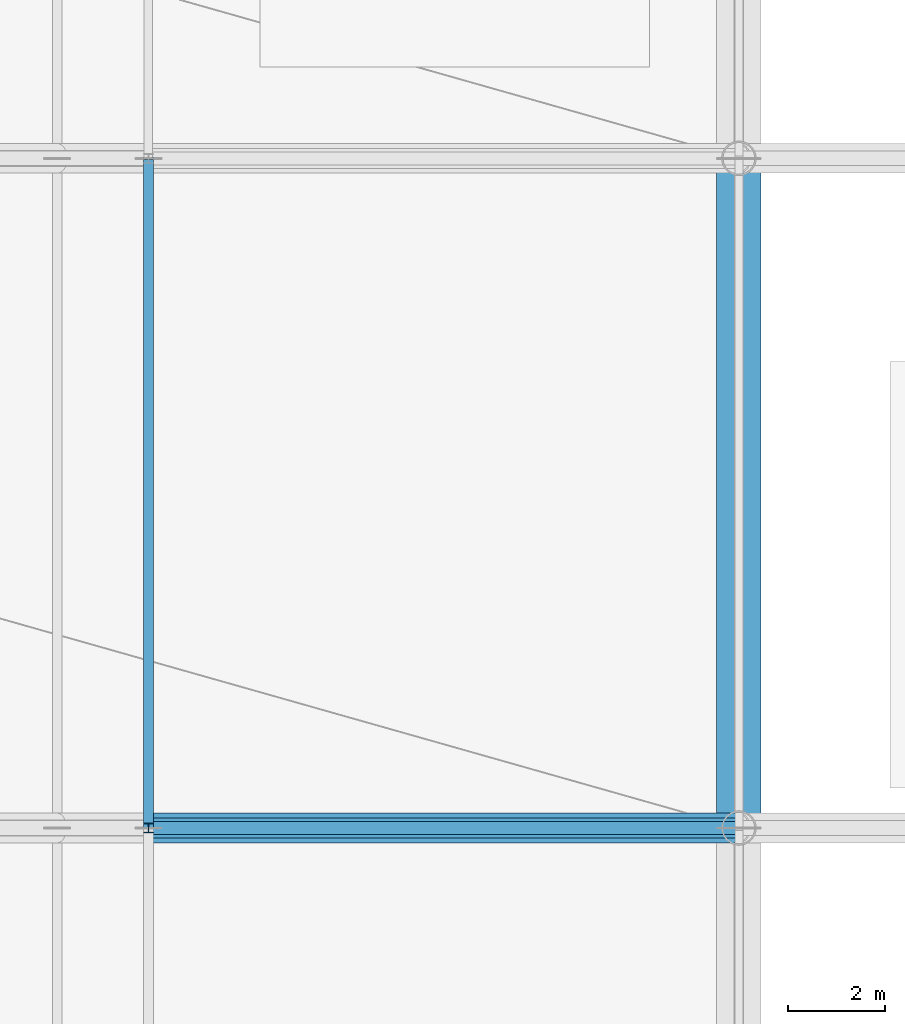
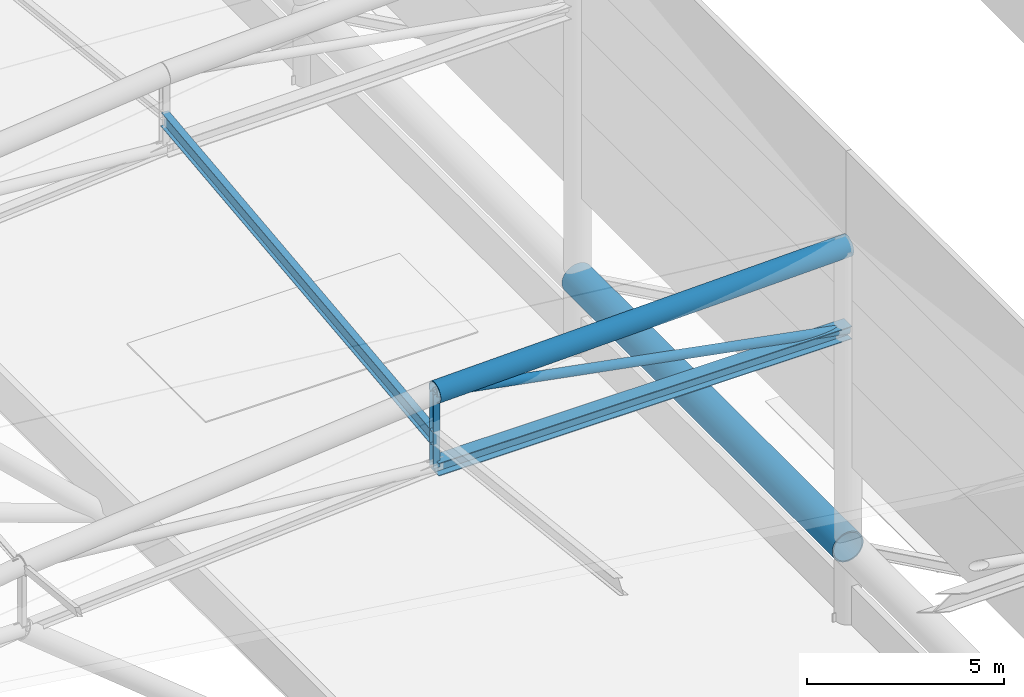
# One storey, part 43 of 113: 5 members, 1 beam.
"""IFC4 building model written with IfcOpenShell, lengths in metres."""

from ifc_helpers import new_model, si_unit, direction, frame, origin, origin_2d, place, context, subcontext, project, spatial, hollow_circle, i_section, extrude, material, material_profile, profile_set, type_object, element, save


model = new_model("IFC4")

# Units and contexts
model_context = context("Model", 3, precision=1e-05, world=origin(), true_north=direction((0.0, 1.0)))
body_context = subcontext(model_context, "Body", "Model", "MODEL_VIEW")
ifc_project = project(units=[si_unit("LENGTHUNIT", "METRE"), si_unit("AREAUNIT", "SQUARE_METRE"), si_unit("VOLUMEUNIT", "CUBIC_METRE"), si_unit("PLANEANGLEUNIT", "RADIAN"), si_unit("MASSUNIT", "GRAM", prefix="KILO")], contexts=[model_context])

# Site, building, storey
site_placement = place(None, origin())
site = spatial("IfcSite", under=ifc_project, at=site_placement, CompositionType="ELEMENT")
building_placement = place(site_placement, origin())
building = spatial("IfcBuilding", under=site, at=building_placement, Name="Linyun Crest Stadium", CompositionType="ELEMENT")
storey_placement = place(building_placement, frame((0.0, 0.0, 26.39990234375)))
storey = spatial("IfcBuildingStorey", under=building, at=storey_placement, Name="L06", CompositionType="ELEMENT", Elevation=26.39990234375)

# Beam
ifc_material_1 = material(Name="Steel Q420C", Category="steel")
ifc_material_profile_1 = material_profile(ifc_material_1, hollow_circle(Radius=0.45703125, WallThickness=0.0380859375, at=origin_2d()), Name="CHS 914x38")
ifc_profile_set_1 = profile_set([ifc_material_profile_1], Name="Steel Q420C")
beam_type = type_object("IfcBeamType", Name="HB02", PredefinedType="USERDEFINED", material=ifc_profile_set_1)
beam_placement = place(storey_placement, frame((84.0, -11.625, 2.18505859375), z_axis=(0.0, 1.0, 0.0), x_axis=(-1.0, 0.0, 0.0)))
element("IfcBeam", 1, at=beam_placement, inside=storey, type_object=beam_type, Name="Roof Outer compression ring beam HB02 V2 22", ObjectType="RING BEAM", PredefinedType="USERDEFINED", context=body_context, shape_type="SweptSolid", body=[
    extrude(hollow_circle(Radius=0.45703125, WallThickness=0.0380859375, at=origin_2d()), origin(), (0.0, 0.0, 1.0), 13.75),
])

# Members
ifc_material_2 = material(Name="Steel Q355B", Category="steel")
ifc_material_profile_2 = material_profile(ifc_material_2, i_section(OverallWidth=0.199951171875, OverallDepth=0.449951171875, WebThickness=0.009033203125, FlangeThickness=0.013916015625, at=origin_2d()), Name="HN 450x200")
ifc_profile_set_2 = profile_set([ifc_material_profile_2], Name="Steel Q355B")
member_type_1 = type_object("IfcMemberType", Name="PR04", PredefinedType="PURLIN", material=ifc_profile_set_2)
member_1_placement = place(storey_placement, frame((71.875, -11.625, 9.839111328125), z_axis=(0.0, 0.993690086648, 0.112160651293), x_axis=(-1.0, 0.0, 0.0)))
element("IfcMember", 2, at=member_1_placement, inside=storey, type_object=member_type_1, Name="Roof canopy purlin PR04 V2 345", PredefinedType="PURLIN", context=body_context, shape_type="SweptSolid", body=[
    extrude(i_section(OverallWidth=0.199951171875, OverallDepth=0.449951171875, WebThickness=0.009033203125, FlangeThickness=0.013916015625, at=origin_2d()), origin(), (0.0, 0.0, 1.0), 13.83740234375),
])
ifc_material_3 = material(Name="Steel Q420C", Category="steel")
ifc_material_profile_3 = material_profile(ifc_material_3, hollow_circle(Radius=0.304931640625, WallThickness=0.030029296875, at=origin_2d()), Name="CHS 610x30")
ifc_profile_set_3 = profile_set([ifc_material_profile_3], Name="Steel Q420C")
member_type_2 = type_object("IfcMemberType", Name="TC02", PredefinedType="CHORD", material=ifc_profile_set_3)
member_2_placement = place(storey_placement, frame((84.0, -11.625, 11.550048828125), z_axis=(-0.999641070748, 0.0, -0.026790477311), x_axis=(0.0, -1.0, 0.0)))
element("IfcMember", 3, at=member_2_placement, inside=storey, type_object=member_type_2, Name="Roof truss top chord TC02 V2 240", PredefinedType="CHORD", context=body_context, shape_type="SweptSolid", body=[
    extrude(hollow_circle(Radius=0.304931640625, WallThickness=0.030029296875, at=origin_2d()), origin(), (0.0, 0.0, 1.0), 12.12939453125),
])
ifc_material_4 = material(Name="Steel Q420C", Category="steel")
ifc_material_profile_4 = material_profile(ifc_material_4, i_section(OverallWidth=0.407958984375, OverallDepth=0.39990234375, WebThickness=0.02099609375, FlangeThickness=0.02099609375, at=origin_2d()), Name="HW 400x408")
ifc_profile_set_4 = profile_set([ifc_material_profile_4], Name="Steel Q420C")
member_type_3 = type_object("IfcMemberType", Name="TC04", PredefinedType="CHORD", material=ifc_profile_set_4)
member_3_placement = place(storey_placement, frame((84.0, -11.625, 8.9501953125), z_axis=(-0.999999408883, 0.0, -0.001087306058), x_axis=(0.0, -1.0, 0.0)))
element("IfcMember", 4, at=member_3_placement, inside=storey, type_object=member_type_3, Name="Roof truss bottom chord TC04 V2 241", PredefinedType="CHORD", context=body_context, shape_type="SweptSolid", body=[
    extrude(i_section(OverallWidth=0.407958984375, OverallDepth=0.39990234375, WebThickness=0.02099609375, FlangeThickness=0.02099609375, at=origin_2d()), origin(), (0.0, 0.0, 1.0), 12.125),
])
ifc_material_5 = material(Name="Steel Q355C", Category="steel")
ifc_material_profile_5 = material_profile(ifc_material_5, hollow_circle(Radius=0.136474609375, WallThickness=0.013916015625, at=origin_2d()), Name="CHS 273x14")
ifc_profile_set_5 = profile_set([ifc_material_profile_5], Name="Steel Q355C")
member_type_4 = type_object("IfcMemberType", Name="TD01", PredefinedType="BRACE", material=ifc_profile_set_5)
member_4_placement = place(storey_placement, frame((84.0, -11.625, 8.9501953125), z_axis=(-0.982850672616, 0.0, 0.184403241129), x_axis=(0.0, -1.0, 0.0)))
element("IfcMember", 5, at=member_4_placement, inside=storey, type_object=member_type_4, Name="Roof truss diagonal TD01 V2 242", PredefinedType="BRACE", context=body_context, shape_type="SweptSolid", body=[
    extrude(hollow_circle(Radius=0.136474609375, WallThickness=0.013916015625, at=origin_2d()), origin(), (0.0, 0.0, 1.0), 12.336669921875),
])
ifc_material_6 = material(Name="Steel Q355C", Category="steel")
ifc_material_profile_6 = material_profile(ifc_material_6, i_section(OverallWidth=0.199951171875, OverallDepth=0.199951171875, WebThickness=0.008056640625, FlangeThickness=0.011962890625, at=origin_2d()), Name="HW 200x200")
ifc_profile_set_6 = profile_set([ifc_material_profile_6], Name="Steel Q355C")
member_type_5 = type_object("IfcMemberType", Name="TV02", PredefinedType="STRUT", material=ifc_profile_set_6)
member_5_placement = place(storey_placement, frame((71.875, -11.625, 8.93701171875), z_axis=(0.0, 0.0, 1.0), x_axis=(1.0, 0.0, 0.0)))
element("IfcMember", 6, at=member_5_placement, inside=storey, type_object=member_type_5, Name="Roof vertical strut TV02 V2 246", PredefinedType="STRUT", context=body_context, shape_type="SweptSolid", body=[
    extrude(i_section(OverallWidth=0.199951171875, OverallDepth=0.199951171875, WebThickness=0.008056640625, FlangeThickness=0.011962890625, at=origin_2d()), origin(), (0.0, 0.0, 1.0), 2.2880859375),
])

save(model, "model.ifc")
